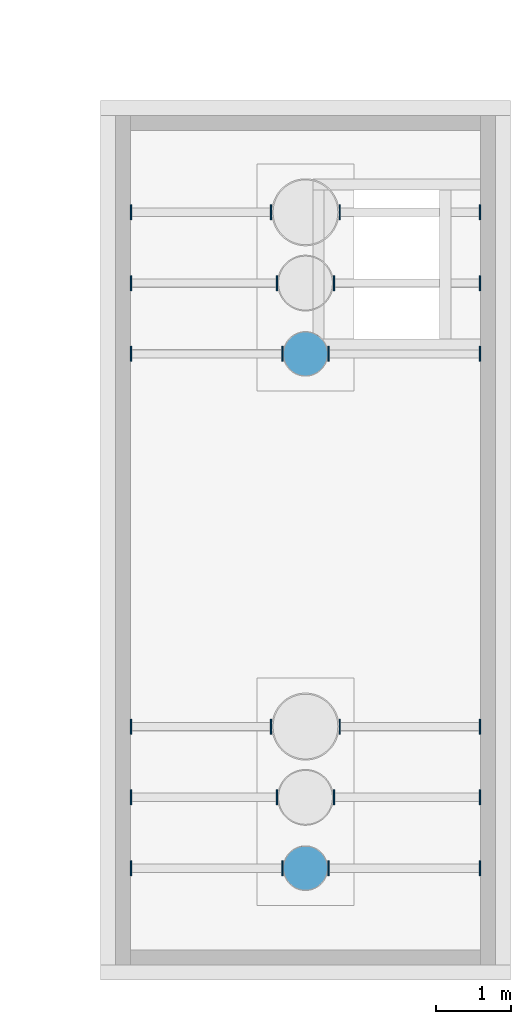
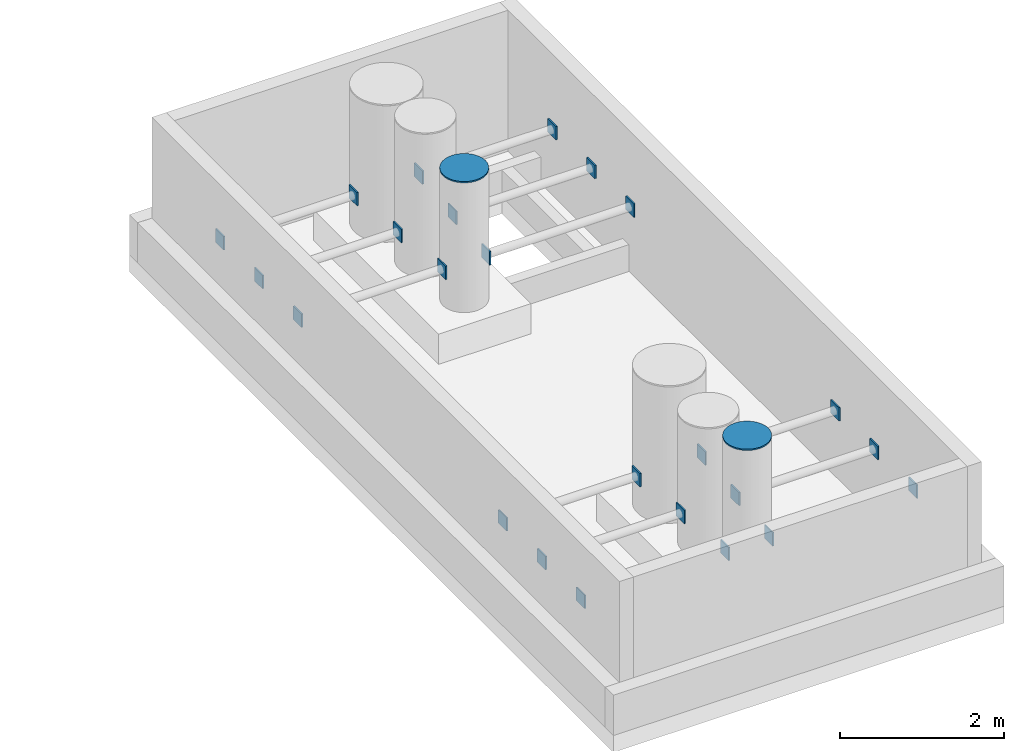
# One storey, part 19 of 22: 26 discrete accessories.
"""IFC4 building model written with IfcOpenShell, lengths in metres."""

from ifc_helpers import new_model, si_unit, direction, frame, origin, origin_2d, place, context, subcontext, project, spatial, polyline, rectangle, outline, extrude, material, type_object, element, save


model = new_model("IFC4")

# Units and contexts
model_context = context("Model", 3, precision=1e-05, world=origin(), true_north=direction((0.0, 1.0)))
body_context = subcontext(model_context, "Body", "Model", "MODEL_VIEW")
ifc_project = project(units=[si_unit("LENGTHUNIT", "METRE"), si_unit("AREAUNIT", "SQUARE_METRE"), si_unit("VOLUMEUNIT", "CUBIC_METRE"), si_unit("PLANEANGLEUNIT", "RADIAN"), si_unit("MASSUNIT", "GRAM", prefix="KILO")], contexts=[model_context])

# Site, building, storey
site_placement = place(None, origin())
site = spatial("IfcSite", under=ifc_project, at=site_placement, CompositionType="ELEMENT")
building_placement = place(site_placement, origin())
building = spatial("IfcBuilding", under=site, at=building_placement, Name="Basin Gate Institute", CompositionType="ELEMENT")
storey_placement = place(building_placement, frame((0.0, 0.0, 51.0)))
storey = spatial("IfcBuildingStorey", under=building, at=storey_placement, Name="L10", CompositionType="ELEMENT", Elevation=51.0)

# Discrete accessories
ifc_material_1 = material(Name="Structural steel SN490", Category="steel")
discrete_accessory_type_1 = type_object("IfcDiscreteAccessoryType", Name="Brace end plate BP200", PredefinedType="BRACKET", material=ifc_material_1)
for number, where, z_axis, x_axis, name in (
    (1, (116.239990234375, 36.10009765625, 1.14990234375), (0.0, 0.0, 1.0), (1.0, 0.0, 0.0), "Exhaust pipe tie TD5 ES 1a end plate 1"),
    (2, (114.2099609375, 36.10009765625, 1.14990234375), (0.0, 0.0, 1.0), (1.0, 0.0, 0.0), "Exhaust pipe tie TD5 ES 1a end plate 2"),
    (3, (116.860107421875, 36.10009765625, 1.14990234375), (0.0, 0.0, 1.0), (1.0, 0.0, 0.0), "Exhaust pipe tie TD5 ES 1b end plate 1"),
    (4, (118.889892578125, 36.10009765625, 1.14990234375), (0.0, 0.0, 1.0), (1.0, 0.0, 0.0), "Exhaust pipe tie TD5 ES 1b end plate 2"),
    (5, (116.1650390625, 37.050048828125, 1.14990234375), (0.0, 0.0, 1.0), (1.0, 0.0, 0.0), "Exhaust pipe tie TD5 ES 2a end plate 1"),
    (6, (114.2099609375, 37.050048828125, 1.14990234375), (0.0, 0.0, 1.0), (1.0, 0.0, 0.0), "Exhaust pipe tie TD5 ES 2a end plate 2"),
    (7, (116.93505859375, 37.050048828125, 1.14990234375), (0.0, 0.0, 1.0), (1.0, 0.0, 0.0), "Exhaust pipe tie TD5 ES 2b end plate 1"),
    (8, (118.889892578125, 37.050048828125, 1.14990234375), (0.0, 0.0, 1.0), (1.0, 0.0, 0.0), "Exhaust pipe tie TD5 ES 2b end plate 2"),
    (9, (116.090087890625, 38.0, 1.14990234375), (0.0, 0.0, 1.0), (1.0, 0.0, 0.0), "Exhaust pipe tie TD5 ES 3a end plate 1"),
    (10, (114.2099609375, 38.0, 1.14990234375), (0.0, 0.0, 1.0), (1.0, 0.0, 0.0), "Exhaust pipe tie TD5 ES 3a end plate 2"),
    (11, (117.010009765625, 38.0, 1.14990234375), (0.0, 0.0, 1.0), (1.0, 0.0, 0.0), "Exhaust pipe tie TD5 ES 3b end plate 1"),
    (12, (118.889892578125, 38.0, 1.14990234375), (0.0, 0.0, 1.0), (1.0, 0.0, 0.0), "Exhaust pipe tie TD5 ES 3b end plate 2"),
    (13, (116.239990234375, 43.0, 1.14990234375), (0.0, 0.0, 1.0), (1.0, 0.0, 0.0), "Exhaust pipe tie TD5 ES 4a end plate 1"),
    (14, (114.2099609375, 43.0, 1.14990234375), (0.0, 0.0, 1.0), (1.0, 0.0, 0.0), "Exhaust pipe tie TD5 ES 4a end plate 2"),
    (15, (116.860107421875, 43.0, 1.14990234375), (0.0, 0.0, 1.0), (1.0, 0.0, 0.0), "Exhaust pipe tie TD5 ES 4b end plate 1"),
    (16, (118.889892578125, 43.0, 1.14990234375), (0.0, 0.0, 1.0), (1.0, 0.0, 0.0), "Exhaust pipe tie TD5 ES 4b end plate 2"),
    (17, (116.1650390625, 43.949951171875, 1.14990234375), (0.0, 0.0, 1.0), (1.0, 0.0, 0.0), "Exhaust pipe tie TD5 ES 5a end plate 1"),
    (18, (114.2099609375, 43.949951171875, 1.14990234375), (0.0, 0.0, 1.0), (1.0, 0.0, 0.0), "Exhaust pipe tie TD5 ES 5a end plate 2"),
    (19, (116.93505859375, 43.949951171875, 1.14990234375), (0.0, 0.0, 1.0), (1.0, 0.0, 0.0), "Exhaust pipe tie TD5 ES 5b end plate 1"),
    (20, (118.889892578125, 43.949951171875, 1.14990234375), (0.0, 0.0, 1.0), (1.0, 0.0, 0.0), "Exhaust pipe tie TD5 ES 5b end plate 2"),
    (21, (116.090087890625, 44.89990234375, 1.14990234375), (0.0, 0.0, 1.0), (1.0, 0.0, 0.0), "Exhaust pipe tie TD5 ES 6a end plate 1"),
    (22, (114.2099609375, 44.89990234375, 1.14990234375), (0.0, 0.0, 1.0), (1.0, 0.0, 0.0), "Exhaust pipe tie TD5 ES 6a end plate 2"),
    (23, (117.010009765625, 44.89990234375, 1.14990234375), (0.0, 0.0, 1.0), (1.0, 0.0, 0.0), "Exhaust pipe tie TD5 ES 6b end plate 1"),
    (24, (118.889892578125, 44.89990234375, 1.14990234375), (0.0, 0.0, 1.0), (1.0, 0.0, 0.0), "Exhaust pipe tie TD5 ES 6b end plate 2"),
):
    element("IfcDiscreteAccessory", number, at=place(storey_placement, frame(where, z_axis=z_axis, x_axis=x_axis)), inside=storey, type_object=discrete_accessory_type_1, material=ifc_material_1, Name=name, PredefinedType="BRACKET", context=body_context, shape_type="SweptSolid", body=[
        extrude(rectangle(XDim=0.02001953125, YDim=0.199951171875, at=origin_2d()), origin(), (0.0, 0.0, 1.0), 0.199951171875),
    ])
ifc_material_2 = material(Name="Structural steel SN490", Category="steel")
discrete_accessory_type_2 = type_object("IfcDiscreteAccessoryType", Name="Exhaust pipe cap plate PC600", PredefinedType="BRACKET", material=ifc_material_2)
discrete_accessory_1_placement = place(storey_placement, frame((0.0, 0.0, 2.830078125)))
element("IfcDiscreteAccessory", 25, at=discrete_accessory_1_placement, inside=storey, type_object=discrete_accessory_type_2, material=ifc_material_2, Name="Exhaust pipe EX1 ES 1 cap plate", PredefinedType="BRACKET", context=body_context, shape_type="SweptSolid", body=[
    extrude(outline(polyline([(116.85009765625, 36.10009765625), (116.84423828125, 36.158447265625), (116.8271484375, 36.21484375), (116.79931640625, 36.2666015625), (116.76220703125, 36.31201171875), (116.716796875, 36.349365234375), (116.664794921875, 36.377197265625), (116.6083984375, 36.394287109375), (116.550048828125, 36.39990234375), (116.491455078125, 36.394287109375), (116.435302734375, 36.377197265625), (116.38330078125, 36.349365234375), (116.337890625, 36.31201171875), (116.300537109375, 36.2666015625), (116.272705078125, 36.21484375), (116.255859375, 36.158447265625), (116.25, 36.10009765625), (116.255859375, 36.04150390625), (116.272705078125, 35.985107421875), (116.300537109375, 35.933349609375), (116.337890625, 35.887939453125), (116.38330078125, 35.8505859375), (116.435302734375, 35.82275390625), (116.491455078125, 35.805908203125), (116.550048828125, 35.800048828125), (116.6083984375, 35.805908203125), (116.664794921875, 35.82275390625), (116.716796875, 35.8505859375), (116.76220703125, 35.887939453125), (116.79931640625, 35.933349609375), (116.8271484375, 35.985107421875), (116.84423828125, 36.04150390625), (116.85009765625, 36.10009765625)])), origin(), (0.0, 0.0, 1.0), 0.02001953125),
])
discrete_accessory_2_placement = place(storey_placement, frame((0.0, 0.0, 2.6298828125)))
element("IfcDiscreteAccessory", 26, at=discrete_accessory_2_placement, inside=storey, type_object=discrete_accessory_type_2, material=ifc_material_2, Name="Exhaust pipe EX1 ES 4 cap plate", PredefinedType="BRACKET", context=body_context, shape_type="SweptSolid", body=[
    extrude(outline(polyline([(116.85009765625, 43.0), (116.84423828125, 43.05859375), (116.8271484375, 43.11474609375), (116.79931640625, 43.166748046875), (116.76220703125, 43.212158203125), (116.716796875, 43.24951171875), (116.664794921875, 43.277099609375), (116.6083984375, 43.294189453125), (116.550048828125, 43.300048828125), (116.491455078125, 43.294189453125), (116.435302734375, 43.277099609375), (116.38330078125, 43.24951171875), (116.337890625, 43.212158203125), (116.300537109375, 43.166748046875), (116.272705078125, 43.11474609375), (116.255859375, 43.05859375), (116.25, 43.0), (116.255859375, 42.94140625), (116.272705078125, 42.88525390625), (116.300537109375, 42.833251953125), (116.337890625, 42.787841796875), (116.38330078125, 42.75048828125), (116.435302734375, 42.722900390625), (116.491455078125, 42.705810546875), (116.550048828125, 42.699951171875), (116.6083984375, 42.705810546875), (116.664794921875, 42.722900390625), (116.716796875, 42.75048828125), (116.76220703125, 42.787841796875), (116.79931640625, 42.833251953125), (116.8271484375, 42.88525390625), (116.84423828125, 42.94140625), (116.85009765625, 43.0)])), origin(), (0.0, 0.0, 1.0), 0.02001953125),
])

save(model, "model.ifc")
